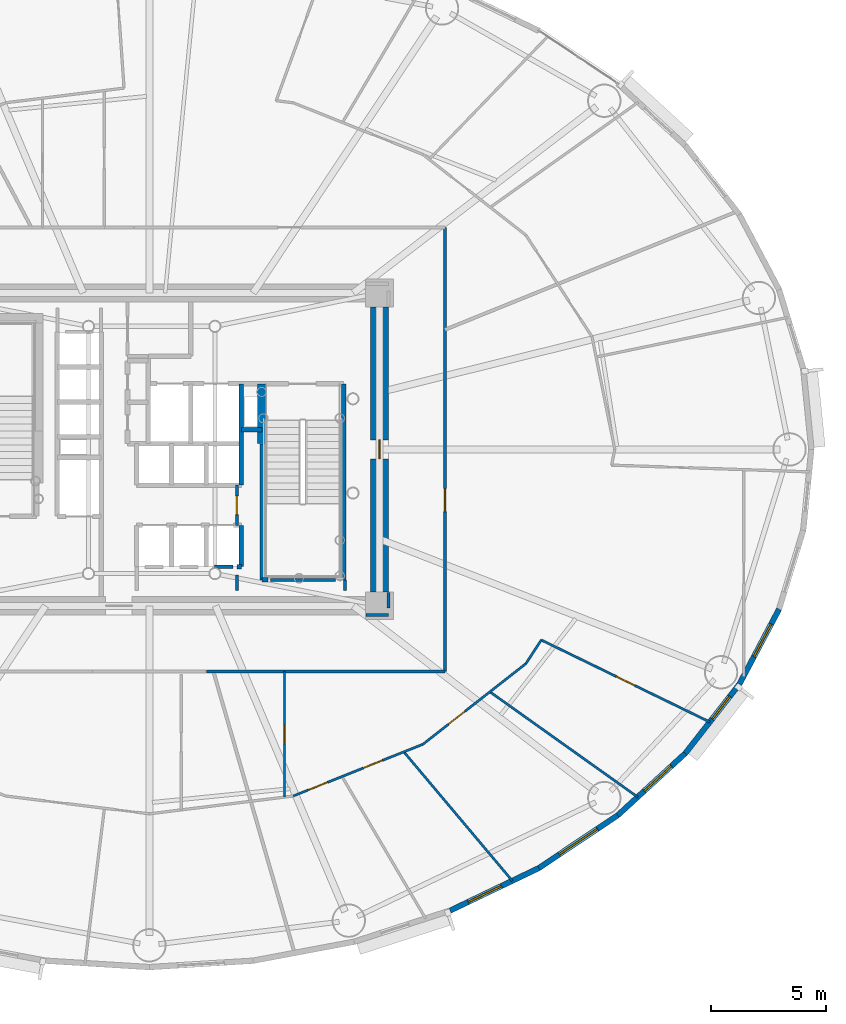
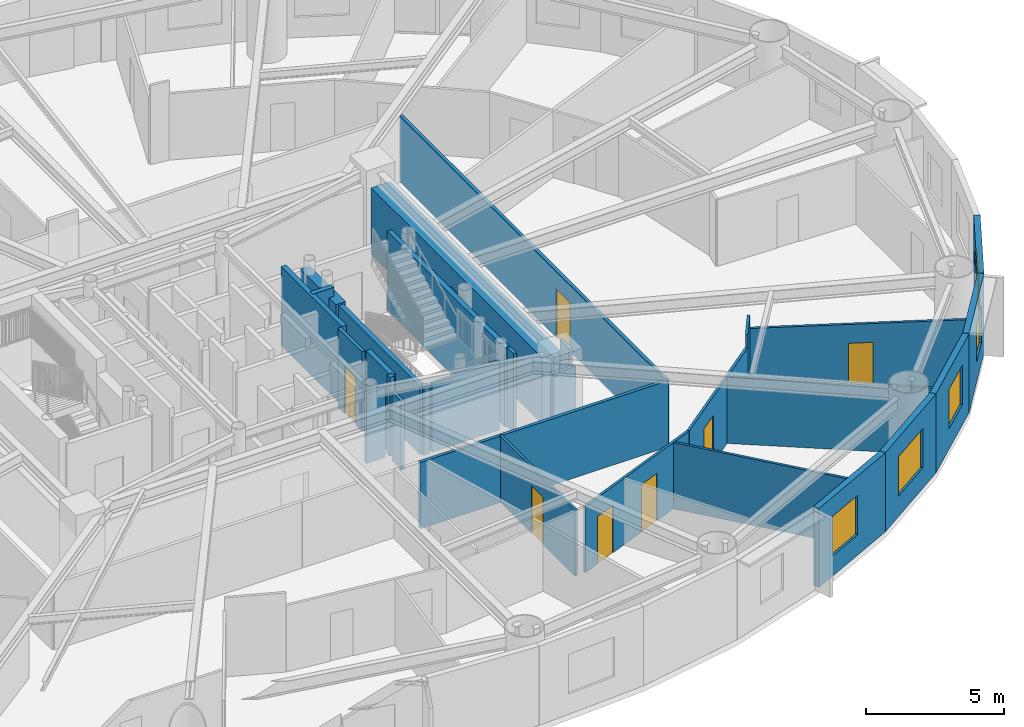
# One storey, part 12 of 20: 30 walls, 8 doors, 5 windows, 13 openings.
"""IFC4 building model written with IfcOpenShell, lengths in metres."""

import ifcopenshell
import ifcopenshell.guid

model = None  # the IFC model being written
_history = None  # IfcOwnerHistory: only IFC2X3 demands one
_inside = {}  # id of a spatial element -> (the spatial element, [elements in it])
_under = {}  # id of a project, library or spatial element -> (it, [spatial elements below it])
_declared = {}  # id of a project -> (the project, [libraries it declares])
_typed = {}  # id of a type object -> (the type object, [elements of that type])
_made_of = {}  # id of a material, layer set ... -> (it, [elements and type objects made of it])


def new_model(schema):
    """Start an empty IFC model of exactly this schema.

    Asked for "IFC4X3", IfcOpenShell would pick the latest addendum, in which some entities
    have other attributes; the version numbers below select the first issue.
    IFC2X3 requires an IfcOwnerHistory on every rooted entity: one is made here for all.
    """
    global model, _history
    if schema == "IFC4X3":
        model = ifcopenshell.file(schema_version=(4, 3, 0, 0))
    else:
        model = ifcopenshell.file(schema=schema)
    _inside.clear()
    _under.clear()
    _declared.clear()
    _typed.clear()
    _made_of.clear()
    _history = None
    if model.schema == "IFC2X3":
        org = make("IfcOrganization", Name="unknown")
        user = make(
            "IfcPersonAndOrganization",
            ThePerson=make("IfcPerson", FamilyName="unknown"),
            TheOrganization=org,
        )
        app = make(
            "IfcApplication",
            ApplicationDeveloper=org,
            Version="unknown",
            ApplicationFullName="unknown",
            ApplicationIdentifier="unknown",
        )
        _history = make(
            "IfcOwnerHistory",
            OwningUser=user,
            OwningApplication=app,
            ChangeAction="ADDED",
            CreationDate=0,
        )
    return model


def make(cls, **values):
    """One entity of the class cls with the attributes given. An attribute that is None is left unset."""
    return model.create_entity(
        cls, **{name: value for name, value in values.items() if value is not None}
    )


def rooted(cls, **values):
    """An entity with a GlobalId (a new one), such as an element, a storey or a relation."""
    return make(cls, GlobalId=ifcopenshell.guid.new(), OwnerHistory=_history, **values)


def si_unit(unit_type, name, prefix=None):
    """IfcSIUnit, for example si_unit("LENGTHUNIT", "METRE", prefix="MILLI")."""
    return make("IfcSIUnit", UnitType=unit_type, Prefix=prefix, Name=name)


def assignment(units):
    """IfcUnitAssignment: the units of a project."""
    return None if units is None else make("IfcUnitAssignment", Units=units)


def point(xyz):
    """IfcCartesianPoint."""
    return None if xyz is None else make("IfcCartesianPoint", Coordinates=xyz)


def direction(xyz):
    """IfcDirection."""
    return None if xyz is None else make("IfcDirection", DirectionRatios=xyz)


def frame(location, z_axis=None, x_axis=None):
    """IfcAxis2Placement3D, a coordinate frame: its origin and axes. An axis left out is left unset."""
    return make(
        "IfcAxis2Placement3D",
        Location=point(location),
        Axis=direction(z_axis),
        RefDirection=direction(x_axis),
    )


def frame_2d(location, x_axis=None):
    """IfcAxis2Placement2D, a coordinate frame in the plane: its origin and x axis."""
    return make(
        "IfcAxis2Placement2D", Location=point(location), RefDirection=direction(x_axis)
    )


def origin():
    """The frame at (0, 0, 0) with its axes left unset."""
    return frame((0.0, 0.0, 0.0))


def origin_2d():
    """The frame at (0, 0) in the plane with its x axis left unset."""
    return frame_2d((0.0, 0.0))


def place(relative_to, where):
    """IfcLocalPlacement: puts the frame where relative to a parent placement (None: the world)."""
    return make(
        "IfcLocalPlacement", PlacementRelTo=relative_to, RelativePlacement=where
    )


def context(
    kind, dimensions, precision=None, world=None, true_north=None, identifier=None
):
    """IfcGeometricRepresentationContext, for example the 3D "Model" context."""
    return make(
        "IfcGeometricRepresentationContext",
        ContextIdentifier=identifier,
        ContextType=kind,
        CoordinateSpaceDimension=dimensions,
        Precision=precision,
        WorldCoordinateSystem=world,
        TrueNorth=true_north,
    )


def subcontext(parent, identifier, kind, view, scale=None):
    """IfcGeometricRepresentationSubContext, for example "Body" below "Model"."""
    return make(
        "IfcGeometricRepresentationSubContext",
        ContextIdentifier=identifier,
        ContextType=kind,
        ParentContext=parent,
        TargetScale=scale,
        TargetView=view,
    )


def project(units=None, contexts=None):
    """IfcProject with its units and contexts."""
    return rooted(
        "IfcProject",
        Name="project",
        RepresentationContexts=contexts,
        UnitsInContext=assignment(units),
    )


def spatial(cls, under=None, at=None, **own):
    """A site, building, storey or space (cls), placed at a placement, below another one or the project."""
    s = rooted(cls, ObjectPlacement=at, **own)
    if under is not None:
        _under.setdefault(under.id(), (under, []))[1].append(s)
    return s


def profile(cls, at=None, kind="AREA", **sizes):
    """A parametric profile (cls). Its sizes go by their IFC names, for example OverallWidth=200.0."""
    return make(cls, ProfileType=kind, Position=at, **sizes)


def rectangle(**sizes):
    """IfcRectangleProfileDef."""
    return profile("IfcRectangleProfileDef", **sizes)


def extrude(swept, where, along, depth):
    """IfcExtrudedAreaSolid: the profile swept, set in the frame where, extruded along a direction by depth."""
    return make(
        "IfcExtrudedAreaSolid",
        SweptArea=swept,
        Position=where,
        ExtrudedDirection=direction(along),
        Depth=depth,
    )


def shape(context_of_items, identifier, shape_type, items):
    """IfcShapeRepresentation: the items that make up one representation, for example the "Body"."""
    return make(
        "IfcShapeRepresentation",
        ContextOfItems=context_of_items,
        RepresentationIdentifier=identifier,
        RepresentationType=shape_type,
        Items=items,
    )


def source(mapping_origin, context_of_items, identifier, shape_type, items):
    """IfcRepresentationMap: a shape defined once, which mapped items show again and again."""
    return make(
        "IfcRepresentationMap",
        MappingOrigin=mapping_origin,
        MappedRepresentation=shape(context_of_items, identifier, shape_type, items),
    )


def transform(
    local_origin,
    x_axis=None,
    y_axis=None,
    z_axis=None,
    scale=None,
    scale2=None,
    scale3=None,
    uniform=True,
):
    """IfcCartesianTransformationOperator3D, or its non-uniform kind. x_axis, y_axis, z_axis: its Axis1, 2, 3."""
    if uniform:
        return make(
            "IfcCartesianTransformationOperator3D",
            Axis1=direction(x_axis),
            Axis2=direction(y_axis),
            LocalOrigin=point(local_origin),
            Scale=scale,
            Axis3=direction(z_axis),
        )
    return make(
        "IfcCartesianTransformationOperator3DnonUniform",
        Axis1=direction(x_axis),
        Axis2=direction(y_axis),
        LocalOrigin=point(local_origin),
        Scale=scale,
        Axis3=direction(z_axis),
        Scale2=scale2,
        Scale3=scale3,
    )


def mapped(mapping_source, mapping_target):
    """IfcMappedItem: shows the shape of a source again, moved by a transform."""
    return make(
        "IfcMappedItem", MappingSource=mapping_source, MappingTarget=mapping_target
    )


def material(Name=None, Category=None):
    """IfcMaterial."""
    return make("IfcMaterial", Name=Name, Category=Category)


def layer(
    of_material, thickness, ventilated=None, Name=None, Category=None, Priority=None
):
    """IfcMaterialLayer: one layer of a wall or slab, of a material (None: an air gap)."""
    return make(
        "IfcMaterialLayer",
        Material=of_material,
        LayerThickness=thickness,
        IsVentilated=ventilated,
        Name=Name,
        Category=Category,
        Priority=Priority,
    )


def layer_set(layers, Name=None):
    """IfcMaterialLayerSet."""
    return make("IfcMaterialLayerSet", MaterialLayers=layers, LayerSetName=Name)


def made_of(thing, what):
    """Note that an element or type object is made of a material, layer set ...; save() writes the relation."""
    if what is not None:
        _made_of.setdefault(what.id(), (what, []))[1].append(thing)
    return thing


def type_object(cls, material=None, **own):
    """A type object (cls), such as IfcWallType, which elements share."""
    return made_of(rooted(cls, **own), material)


def element(
    cls,
    number,
    at=None,
    inside=None,
    cuts=None,
    type_object=None,
    material=None,
    context=None,
    identifier="Body",
    shape_type=None,
    held_by="IfcProductDefinitionShape",
    body=None,
    shapes=None,
    **own,
):
    """One element of the class cls, such as IfcWall. Its Tag is "e" and its number.

    at: its placement. inside: the storey or other place that contains it. cuts: it is an
    opening in that element (IfcRelVoidsElement). A single representation is given by context,
    identifier, shape_type and body (its items); several are given by shapes. held_by: the class
    of the entity that holds the representations. save() writes the other relations.
    """
    e = rooted(cls, Tag="e%d" % number, ObjectPlacement=at, **own)
    if body is not None:
        shapes = [shape(context, identifier, shape_type, body)]
    if shapes is not None:
        e.Representation = make(held_by, Representations=shapes)
    if inside is not None:
        _inside.setdefault(inside.id(), (inside, []))[1].append(e)
    if cuts is not None:
        rooted(
            "IfcRelVoidsElement", RelatingBuildingElement=cuts, RelatedOpeningElement=e
        )
    if type_object is not None:
        _typed.setdefault(type_object.id(), (type_object, []))[1].append(e)
    return made_of(e, material)


def fill(opening, filler):
    """IfcRelFillsElement: the door or window that sits in an opening."""
    return rooted(
        "IfcRelFillsElement",
        RelatingOpeningElement=opening,
        RelatedBuildingElement=filler,
    )


def aggregate(whole, parts):
    """IfcRelAggregates: a whole, such as a stair, and the parts it consists of."""
    return rooted("IfcRelAggregates", RelatingObject=whole, RelatedObjects=parts)


def save(model, path):
    """Write the relations noted so far, then the file.

    IfcRelAggregates (storeys below a building ...), IfcRelContainedInSpatialStructure (elements
    in a storey), IfcRelDefinesByType, IfcRelAssociatesMaterial and IfcRelDeclares: one each for
    every whole, place, type object, material and project.
    """
    for whole, parts in _under.values():
        aggregate(whole, parts)
    for where, things in _inside.values():
        rooted(
            "IfcRelContainedInSpatialStructure",
            RelatedElements=things,
            RelatingStructure=where,
        )
    for kind, things in _typed.values():
        rooted("IfcRelDefinesByType", RelatedObjects=things, RelatingType=kind)
    for what, things in _made_of.values():
        rooted("IfcRelAssociatesMaterial", RelatedObjects=things, RelatingMaterial=what)
    for by, libraries in _declared.values():
        rooted("IfcRelDeclares", RelatingContext=by, RelatedDefinitions=libraries)
    model.write(path)


model = new_model("IFC4")

# Units and contexts
model_context = context("Model", 3, precision=1e-05, world=origin(), true_north=direction((0.0, 1.0)))
body_context = subcontext(model_context, "Body", "Model", "MODEL_VIEW")
ifc_project = project(units=[si_unit("LENGTHUNIT", "METRE"), si_unit("AREAUNIT", "SQUARE_METRE"), si_unit("VOLUMEUNIT", "CUBIC_METRE"), si_unit("PLANEANGLEUNIT", "RADIAN"), si_unit("MASSUNIT", "GRAM", prefix="KILO")], contexts=[model_context])

# Site, building, storey
site_placement = place(None, origin())
site = spatial("IfcSite", under=ifc_project, at=site_placement, CompositionType="ELEMENT")
building_placement = place(site_placement, origin())
building = spatial("IfcBuilding", under=site, at=building_placement, Name="Linh Dai School and Residence Tower", CompositionType="ELEMENT")
storey_placement = place(building_placement, frame((0.0, 0.0, 127.199951171875)))
storey = spatial("IfcBuildingStorey", under=building, at=storey_placement, Name="L30", CompositionType="ELEMENT", Elevation=127.199951171875)

# Wall, opening, window
ifc_material_1 = material(Name="Precast Concrete B45 (C35/45)", Category="concrete")
ifc_layer_1 = layer(ifc_material_1, 0.239990234375)
ifc_layer_set_1 = layer_set([ifc_layer_1], Name="Precast Concrete B45 (C35/45)")
wall_type_1 = type_object("IfcWallType", Name="EW-TC-240", PredefinedType="SOLIDWALL", material=ifc_layer_set_1)
wall_1_placement = place(storey_placement, frame((52.92529296875, 8.800537109375, 0.0), z_axis=(0.0, 0.0, 1.0), x_axis=(-0.901589935876, -0.432591709962, 0.0)))
wall_1 = element("IfcWall", 1, at=wall_1_placement, inside=storey, type_object=wall_type_1, Name="L30 Terracotta Exterior Wall 34", PredefinedType="SOLIDWALL", context=body_context, shape_type="SweptSolid", body=[
    extrude(rectangle(XDim=4.271728515625, YDim=0.239990234375, at=frame_2d((2.1357421875, 0.0))), origin(), (0.0, 0.0, 1.0), 3.5),
])
opening_1_placement = place(wall_1_placement, frame((1.796142578125, 0.0, 0.89990234375)))
opening_1 = element("IfcOpeningElement", 2, at=opening_1_placement, cuts=wall_1, Name="Opening W2", PredefinedType="OPENING", context=body_context, shape_type="SweptSolid", body=[
    extrude(rectangle(XDim=1.60009765625, YDim=1.75, at=origin_2d()), frame((0.800048828125, 0.1298828125, 0.875), z_axis=(0.0, -1.0, 0.0), x_axis=(1.0, 0.0, 0.0)), (0.0, 0.0, 1.0), 0.260009765625),
])
ifc_material_2 = material(Name="Double Low-E Insulated Glazing", Category="glass")
window_type_1 = type_object("IfcWindowType", Name="WN-RES-1600x1750", PartitioningType="DOUBLE_PANEL_VERTICAL", PredefinedType="WINDOW", material=ifc_material_2)
shared_shape_1 = source(origin(), body_context, "Body", "SweptSolid", [
    extrude(rectangle(XDim=1.60009765625, YDim=1.75, at=origin_2d()), frame((0.800048828125, 0.030029296875, 0.875), z_axis=(0.0, -1.0, 0.0), x_axis=(1.0, 0.0, 0.0)), (0.0, 0.0, 1.0), 0.06005859375),
])
window_1_placement = place(opening_1_placement, origin())
window_1 = element("IfcWindow", 3, at=window_1_placement, inside=storey, type_object=window_type_1, Name="L30 Exterior Window 34.1", OverallHeight=1.75, OverallWidth=1.60009765625, PartitioningType="DOUBLE_PANEL_VERTICAL", PredefinedType="WINDOW", context=body_context, shape_type="MappedRepresentation", body=[
    mapped(shared_shape_1, transform((0.0, 0.0, 0.0), x_axis=(1.0, 0.0, 0.0), y_axis=(0.0, 1.0, 0.0), z_axis=(0.0, 0.0, 1.0), scale=1.0)),
])
fill(opening_1, window_1)

wall_2_placement = place(storey_placement, frame((56.3583984375, 11.0966796875, 0.0), z_axis=(0.0, 0.0, 1.0), x_axis=(-0.831221811447, -0.555940914284, 0.0)))
wall_2 = element("IfcWall", 4, at=wall_2_placement, inside=storey, type_object=wall_type_1, Name="L30 Terracotta Exterior Wall 35", PredefinedType="SOLIDWALL", context=body_context, shape_type="SweptSolid", body=[
    extrude(rectangle(XDim=4.130126953125, YDim=0.239990234375, at=frame_2d((2.06494140625, 0.0))), origin(), (0.0, 0.0, 1.0), 3.5),
])
opening_2_placement = place(wall_2_placement, frame((1.065185546875, 0.0, 0.89990234375)))
opening_2 = element("IfcOpeningElement", 5, at=opening_2_placement, cuts=wall_2, Name="Opening W1", PredefinedType="OPENING", context=body_context, shape_type="SweptSolid", body=[
    extrude(rectangle(XDim=2.0, YDim=1.75, at=origin_2d()), frame((1.0, 0.1298828125, 0.875), z_axis=(0.0, -1.0, 0.0), x_axis=(1.0, 0.0, 0.0)), (0.0, 0.0, 1.0), 0.260009765625),
])
window_type_2 = type_object("IfcWindowType", Name="WN-RES-2000x1750", PartitioningType="DOUBLE_PANEL_VERTICAL", PredefinedType="WINDOW", material=ifc_material_2)
shared_shape_2 = source(origin(), body_context, "Body", "SweptSolid", [
    extrude(rectangle(XDim=2.0, YDim=1.75, at=origin_2d()), frame((1.0, 0.030029296875, 0.875), z_axis=(0.0, -1.0, 0.0), x_axis=(1.0, 0.0, 0.0)), (0.0, 0.0, 1.0), 0.06005859375),
])
window_2_placement = place(opening_2_placement, origin())
window_2 = element("IfcWindow", 6, at=window_2_placement, inside=storey, type_object=window_type_2, Name="L30 Exterior Window 35.1", OverallHeight=1.75, OverallWidth=2.0, PartitioningType="DOUBLE_PANEL_VERTICAL", PredefinedType="WINDOW", context=body_context, shape_type="MappedRepresentation", body=[
    mapped(shared_shape_2, transform((0.0, 0.0, 0.0), x_axis=(1.0, 0.0, 0.0), y_axis=(0.0, 1.0, 0.0), z_axis=(0.0, 0.0, 1.0), scale=1.0)),
])
fill(opening_2, window_2)

wall_3_placement = place(storey_placement, frame((59.2890625, 13.783447265625, 0.0), z_axis=(0.0, 0.0, 1.0), x_axis=(-0.737113356241, -0.675769117414, 0.0)))
wall_3 = element("IfcWall", 7, at=wall_3_placement, inside=storey, type_object=wall_type_1, Name="L30 Terracotta Exterior Wall 36", PredefinedType="SOLIDWALL", context=body_context, shape_type="SweptSolid", body=[
    extrude(rectangle(XDim=3.975830078125, YDim=0.239990234375, at=frame_2d((1.98779296875, 0.0))), origin(), (0.0, 0.0, 1.0), 3.5),
])
opening_3_placement = place(wall_3_placement, frame((0.809326171875, 0.0, 0.89990234375)))
opening_3 = element("IfcOpeningElement", 8, at=opening_3_placement, cuts=wall_3, Name="Opening W2", PredefinedType="OPENING", context=body_context, shape_type="SweptSolid", body=[
    extrude(rectangle(XDim=1.60009765625, YDim=1.75, at=origin_2d()), frame((0.800048828125, 0.1298828125, 0.875), z_axis=(0.0, -1.0, 0.0), x_axis=(1.0, 0.0, 0.0)), (0.0, 0.0, 1.0), 0.260009765625),
])
window_3_placement = place(opening_3_placement, origin())
window_3 = element("IfcWindow", 9, at=window_3_placement, inside=storey, type_object=window_type_1, Name="L30 Exterior Window 36.1", OverallHeight=1.75, OverallWidth=1.60009765625, PartitioningType="DOUBLE_PANEL_VERTICAL", PredefinedType="WINDOW", context=body_context, shape_type="MappedRepresentation", body=[
    mapped(shared_shape_1, transform((0.0, 0.0, 0.0), x_axis=(1.0, 0.0, 0.0), y_axis=(0.0, 1.0, 0.0), z_axis=(0.0, 0.0, 1.0), scale=1.0)),
])
fill(opening_3, window_3)

wall_4_placement = place(storey_placement, frame((61.645263671875, 16.79443359375, 0.0), z_axis=(0.0, 0.0, 1.0), x_axis=(-0.616272103517, -0.787533297345, 0.0)))
wall_4 = element("IfcWall", 10, at=wall_4_placement, inside=storey, type_object=wall_type_1, Name="L30 Terracotta Exterior Wall 37", PredefinedType="SOLIDWALL", context=body_context, shape_type="SweptSolid", body=[
    extrude(rectangle(XDim=3.8232421875, YDim=0.239990234375, at=frame_2d((1.91162109375, 0.0))), origin(), (0.0, 0.0, 1.0), 3.5),
])
opening_4_placement = place(wall_4_placement, frame((0.673583984375, 0.0, 0.89990234375)))
opening_4 = element("IfcOpeningElement", 11, at=opening_4_placement, cuts=wall_4, Name="Opening W3", PredefinedType="OPENING", context=body_context, shape_type="SweptSolid", body=[
    extrude(rectangle(XDim=1.25, YDim=1.64990234375, at=origin_2d()), frame((0.625, 0.1298828125, 0.824951171875), z_axis=(0.0, -1.0, 0.0), x_axis=(1.0, 0.0, 0.0)), (0.0, 0.0, 1.0), 0.260009765625),
])
window_type_3 = type_object("IfcWindowType", Name="WN-RES-1250x1650", PartitioningType="SINGLE_PANEL", PredefinedType="WINDOW", material=ifc_material_2)
shared_shape_3 = source(origin(), body_context, "Body", "SweptSolid", [
    extrude(rectangle(XDim=1.25, YDim=1.64990234375, at=origin_2d()), frame((0.625, 0.030029296875, 0.824951171875), z_axis=(0.0, -1.0, 0.0), x_axis=(1.0, 0.0, 0.0)), (0.0, 0.0, 1.0), 0.06005859375),
])
window_4_placement = place(opening_4_placement, origin())
window_4 = element("IfcWindow", 12, at=window_4_placement, inside=storey, type_object=window_type_3, Name="L30 Dwelling Window U3002-LIV", OverallHeight=1.64990234375, OverallWidth=1.25, PartitioningType="SINGLE_PANEL", PredefinedType="WINDOW", context=body_context, shape_type="MappedRepresentation", body=[
    mapped(shared_shape_3, transform((0.0, 0.0, 0.0), x_axis=(1.0, 0.0, 0.0), y_axis=(0.0, 1.0, 0.0), z_axis=(0.0, 0.0, 1.0), scale=1.0)),
])
fill(opening_4, window_4)

wall_5_placement = place(storey_placement, frame((63.3701171875, 20.054931640625, 0.0), z_axis=(0.0, 0.0, 1.0), x_axis=(-0.467614004126, -0.883932770716, 0.0)))
wall_5 = element("IfcWall", 13, at=wall_5_placement, inside=storey, type_object=wall_type_1, Name="L30 Terracotta Exterior Wall 38", PredefinedType="SOLIDWALL", context=body_context, shape_type="SweptSolid", body=[
    extrude(rectangle(XDim=3.688720703125, YDim=0.239990234375, at=frame_2d((1.84423828125, 0.0))), origin(), (0.0, 0.0, 1.0), 3.5),
])
opening_5_placement = place(wall_5_placement, frame((0.73388671875, 0.0, 0.89990234375)))
opening_5 = element("IfcOpeningElement", 14, at=opening_5_placement, cuts=wall_5, Name="Opening W2", PredefinedType="OPENING", context=body_context, shape_type="SweptSolid", body=[
    extrude(rectangle(XDim=1.60009765625, YDim=1.75, at=origin_2d()), frame((0.800048828125, 0.1298828125, 0.875), z_axis=(0.0, -1.0, 0.0), x_axis=(1.0, 0.0, 0.0)), (0.0, 0.0, 1.0), 0.260009765625),
])
window_5_placement = place(opening_5_placement, origin())
window_5 = element("IfcWindow", 15, at=window_5_placement, inside=storey, type_object=window_type_1, Name="L30 Exterior Window 38.1", OverallHeight=1.75, OverallWidth=1.60009765625, PartitioningType="DOUBLE_PANEL_VERTICAL", PredefinedType="WINDOW", context=body_context, shape_type="MappedRepresentation", body=[
    mapped(shared_shape_1, transform((0.0, 0.0, 0.0), x_axis=(1.0, 0.0, 0.0), y_axis=(0.0, 1.0, 0.0), z_axis=(0.0, 0.0, 1.0), scale=1.0)),
])
fill(opening_5, window_5)

# Wall
ifc_material_3 = material(Name="Autoclaved Aerated Concrete Blockwork", Category="masonry")
ifc_layer_2 = layer(ifc_material_3, 0.135009765625)
ifc_layer_set_2 = layer_set([ifc_layer_2], Name="Autoclaved Aerated Concrete Blockwork")
wall_type_2 = type_object("IfcWallType", Name="IW-CORR-135-EI90", PredefinedType="PARTITIONING", material=ifc_layer_set_2)
wall_6_placement = place(storey_placement, frame((38.47705078125, 17.35009765625, 0.0), z_axis=(0.0, 0.0, 1.0), x_axis=(1.0, 0.0, 0.0)))
element("IfcWall", 16, at=wall_6_placement, inside=storey, type_object=wall_type_2, Name="L30 Interior Partition Wall 059", PredefinedType="PARTITIONING", context=body_context, shape_type="SweptSolid", body=[
    extrude(rectangle(XDim=10.373046875, YDim=0.135009765625, at=frame_2d((5.1865234375, 0.0))), origin(), (0.0, 0.0, 1.0), 2.93505859375),
])

# Wall, opening, door
wall_7_placement = place(storey_placement, frame((39.800048828125, 23.699951171875, 0.0), z_axis=(0.0, 0.0, 1.0), x_axis=(0.0, 1.0, 0.0)))
wall_7 = element("IfcWall", 17, at=wall_7_placement, inside=storey, type_object=wall_type_2, Name="L30 Interior Partition Wall 064", PredefinedType="PARTITIONING", context=body_context, shape_type="SweptSolid", body=[
    extrude(rectangle(XDim=1.75, YDim=0.135009765625, at=frame_2d((0.875, 0.0))), origin(), (0.0, 0.0, 1.0), 3.5),
])
opening_6_placement = place(wall_7_placement, frame((0.465087890625, 0.0, 0.0)))
opening_6 = element("IfcOpeningElement", 18, at=opening_6_placement, cuts=wall_7, Name="Opening D06", PredefinedType="OPENING", context=body_context, shape_type="SweptSolid", body=[
    extrude(rectangle(XDim=0.820068359375, YDim=2.10009765625, at=origin_2d()), frame((0.41015625, 0.07763671875, 1.050048828125), z_axis=(0.0, -1.0, 0.0), x_axis=(1.0, 0.0, 0.0)), (0.0, 0.0, 1.0), 0.155029296875),
])
ifc_material_4 = material(Name="Moisture-Resistant Timber Bathroom Door", Category="wood")
door_type_1 = type_object("IfcDoorType", Name="DR-WET-820x2100", OperationType="NOTDEFINED", PredefinedType="DOOR", material=ifc_material_4)
shared_shape_4 = source(origin(), body_context, "Body", "SweptSolid", [
    extrude(rectangle(XDim=0.820068359375, YDim=2.10009765625, at=origin_2d()), frame((0.41015625, 0.02490234375, 1.050048828125), z_axis=(0.0, -1.0, 0.0), x_axis=(1.0, 0.0, 0.0)), (0.0, 0.0, 1.0), 0.050048828125),
])
door_1_placement = place(opening_6_placement, origin())
door_1 = element("IfcDoor", 19, at=door_1_placement, inside=storey, type_object=door_type_1, Name="L30 East Linen Store Door", OperationType="SINGLE_SWING_RIGHT", OverallHeight=2.10009765625, OverallWidth=0.820068359375, PredefinedType="DOOR", context=body_context, shape_type="MappedRepresentation", body=[
    mapped(shared_shape_4, transform((0.0, 0.0, 0.0), x_axis=(1.0, 0.0, 0.0), y_axis=(0.0, 1.0, 0.0), z_axis=(0.0, 0.0, 1.0), scale=1.0)),
])
fill(opening_6, door_1)

wall_8_placement = place(storey_placement, frame((48.85009765625, 17.35009765625, 0.0), z_axis=(0.0, 0.0, 1.0), x_axis=(0.0, 1.0, 0.0)))
wall_8 = element("IfcWall", 20, at=wall_8_placement, inside=storey, type_object=wall_type_2, Name="L30 Interior Partition Wall 082", PredefinedType="PARTITIONING", context=body_context, shape_type="SweptSolid", body=[
    extrude(rectangle(XDim=19.2998046875, YDim=0.135009765625, at=frame_2d((9.64990234375, 0.0))), origin(), (0.0, 0.0, 1.0), 2.93505859375),
])
opening_7_placement = place(wall_8_placement, frame((6.946044921875, 0.0, 0.0)))
opening_7 = element("IfcOpeningElement", 21, at=opening_7_placement, cuts=wall_8, Name="Opening D03", PredefinedType="OPENING", context=body_context, shape_type="SweptSolid", body=[
    extrude(rectangle(XDim=1.0, YDim=2.14990234375, at=origin_2d()), frame((0.5, 0.07763671875, 1.074951171875), z_axis=(0.0, -1.0, 0.0), x_axis=(1.0, 0.0, 0.0)), (0.0, 0.0, 1.0), 0.155029296875),
])
ifc_material_5 = material(Name="Fire-Rated Solid Timber Entrance Door", Category="wood")
door_type_2 = type_object("IfcDoorType", Name="DR-FLAT-1000x2150-FD60S", OperationType="NOTDEFINED", PredefinedType="DOOR", material=ifc_material_5)
shared_shape_5 = source(origin(), body_context, "Body", "SweptSolid", [
    extrude(rectangle(XDim=1.0, YDim=2.14990234375, at=origin_2d()), frame((0.5, 0.02490234375, 1.074951171875), z_axis=(0.0, -1.0, 0.0), x_axis=(1.0, 0.0, 0.0)), (0.0, 0.0, 1.0), 0.050048828125),
])
door_2_placement = place(opening_7_placement, origin())
door_2 = element("IfcDoor", 22, at=door_2_placement, inside=storey, type_object=door_type_2, Name="L30 U3002 Apartment Entrance Door", OperationType="SINGLE_SWING_RIGHT", OverallHeight=2.14990234375, OverallWidth=1.0, PredefinedType="DOOR", context=body_context, shape_type="MappedRepresentation", body=[
    mapped(shared_shape_5, transform((0.0, 0.0, 0.0), x_axis=(1.0, 0.0, 0.0), y_axis=(0.0, 1.0, 0.0), z_axis=(0.0, 0.0, 1.0), scale=1.0)),
])
fill(opening_7, door_2)

# Walls
wall_9_placement = place(storey_placement, frame((44.080078125, 21.330078125, 0.0), z_axis=(0.0, 0.0, 1.0), x_axis=(-1.0, 0.0, 0.0)))
element("IfcWall", 23, at=wall_9_placement, inside=storey, type_object=wall_type_2, Name="L30 Interior Partition Wall 094", PredefinedType="PARTITIONING", context=body_context, shape_type="SweptSolid", body=[
    extrude(rectangle(XDim=2.820068359375, YDim=0.135009765625, at=frame_2d((1.41015625, 0.0))), origin(), (0.0, 0.0, 1.0), 3.03515625),
])
wall_10_placement = place(storey_placement, frame((39.639892578125, 21.89990234375, 0.0), z_axis=(0.0, 0.0, 1.0), x_axis=(-1.0, 0.0, 0.0)))
element("IfcWall", 24, at=wall_10_placement, inside=storey, type_object=wall_type_2, Name="L30 Interior Partition Wall 097", PredefinedType="PARTITIONING", context=body_context, shape_type="SweptSolid", body=[
    extrude(rectangle(XDim=0.7998046875, YDim=0.135009765625, at=frame_2d((0.39990234375, 0.0))), origin(), (0.0, 0.0, 1.0), 3.0849609375),
])
wall_11_placement = place(storey_placement, frame((39.800048828125, 20.860107421875, 0.0), z_axis=(0.0, 0.0, 1.0), x_axis=(0.0, 1.0, 0.0)))
element("IfcWall", 25, at=wall_11_placement, inside=storey, type_object=wall_type_2, Name="L30 Interior Partition Wall 099", PredefinedType="PARTITIONING", context=body_context, shape_type="SweptSolid", body=[
    extrude(rectangle(XDim=0.679931640625, YDim=0.135009765625, at=frame_2d((0.33984375, 0.0))), origin(), (0.0, 0.0, 1.0), 3.03515625),
])
wall_12_placement = place(storey_placement, frame((44.5, 20.860107421875, 0.0), z_axis=(0.0, 0.0, 1.0), x_axis=(0.0, 1.0, 0.0)))
element("IfcWall", 26, at=wall_12_placement, inside=storey, type_object=wall_type_2, Name="L30 Interior Partition Wall 101", PredefinedType="PARTITIONING", context=body_context, shape_type="SweptSolid", body=[
    extrude(rectangle(XDim=0.4599609375, YDim=0.135009765625, at=frame_2d((0.22998046875, 0.0))), origin(), (0.0, 0.0, 1.0), 3.5),
])
wall_13_placement = place(storey_placement, frame((45.409912109375, 19.800048828125, 0.0), z_axis=(0.0, 0.0, 1.0), x_axis=(1.0, 0.0, 0.0)))
element("IfcWall", 27, at=wall_13_placement, inside=storey, type_object=wall_type_2, Name="L30 Interior Partition Wall 111", PredefinedType="PARTITIONING", context=body_context, shape_type="SweptSolid", body=[
    extrude(rectangle(XDim=0.989990234375, YDim=0.135009765625, at=frame_2d((0.4951171875, 0.0))), origin(), (0.0, 0.0, 1.0), 2.93505859375),
])
wall_14_placement = place(storey_placement, frame((46.39990234375, 20.107421875, 0.0), z_axis=(0.0, 0.0, 1.0), x_axis=(0.0, 1.0, 0.0)))
element("IfcWall", 28, at=wall_14_placement, inside=storey, type_object=wall_type_2, Name="L30 Interior Partition Wall 112", PredefinedType="PARTITIONING", context=body_context, shape_type="SweptSolid", body=[
    extrude(rectangle(XDim=0.6826171875, YDim=0.135009765625, at=frame_2d((0.34130859375, 0.0))), origin(), (0.0, 0.0, 1.0), 3.5),
])
ifc_material_6 = material(Name="Concrete B45 (C35/45)", Category="concrete")
ifc_layer_3 = layer(ifc_material_6, 0.199951171875)
ifc_layer_set_3 = layer_set([ifc_layer_3], Name="Concrete B45 (C35/45)")
wall_type_3 = type_object("IfcWallType", Name="IW-SHAFT-200-EI120", PredefinedType="PARTITIONING", material=ifc_layer_set_3)
wall_15_placement = place(storey_placement, frame((39.800048828125, 21.89990234375, 0.0), z_axis=(0.0, 0.0, 1.0), x_axis=(1.0, 0.0, 0.0)))
element("IfcWall", 29, at=wall_15_placement, inside=storey, type_object=wall_type_3, Name="L30 Interior Partition Wall 063", PredefinedType="PARTITIONING", context=body_context, shape_type="SweptSolid", body=[
    extrude(rectangle(XDim=0.199951171875, YDim=0.199951171875, at=frame_2d((0.10009765625, 0.0))), origin(), (0.0, 0.0, 1.0), 3.5),
])
wall_16_placement = place(storey_placement, frame((40.0, 21.89990234375, 0.0), z_axis=(0.0, 0.0, 1.0), x_axis=(0.0, 1.0, 0.0)))
element("IfcWall", 30, at=wall_16_placement, inside=storey, type_object=wall_type_3, Name="L30 Interior Partition Wall 065", PredefinedType="PARTITIONING", context=body_context, shape_type="SweptSolid", body=[
    extrude(rectangle(XDim=1.800048828125, YDim=0.199951171875, at=frame_2d((0.89990234375, 0.0))), origin(), (0.0, 0.0, 1.0), 3.5),
])
wall_17_placement = place(storey_placement, frame((40.0, 25.449951171875, 0.0), z_axis=(0.0, 0.0, 1.0), x_axis=(0.0, 1.0, 0.0)))
element("IfcWall", 31, at=wall_17_placement, inside=storey, type_object=wall_type_3, Name="L30 Interior Partition Wall 066", PredefinedType="PARTITIONING", context=body_context, shape_type="SweptSolid", body=[
    extrude(rectangle(XDim=4.400146484375, YDim=0.199951171875, at=frame_2d((2.2001953125, 0.0))), origin(), (0.0, 0.0, 1.0), 3.5),
])
wall_18_placement = place(storey_placement, frame((40.0, 27.85009765625, 0.0), z_axis=(0.0, 0.0, 1.0), x_axis=(1.0, 0.0, 0.0)))
element("IfcWall", 32, at=wall_18_placement, inside=storey, type_object=wall_type_3, Name="L30 Interior Partition Wall 067", PredefinedType="PARTITIONING", context=body_context, shape_type="SweptSolid", body=[
    extrude(rectangle(XDim=0.89990234375, YDim=0.199951171875, at=frame_2d((0.449951171875, 0.0))), origin(), (0.0, 0.0, 1.0), 3.5),
])
wall_19_placement = place(storey_placement, frame((40.89990234375, 21.330078125, 0.0), z_axis=(0.0, 0.0, 1.0), x_axis=(0.0, 1.0, 0.0)))
element("IfcWall", 33, at=wall_19_placement, inside=storey, type_object=wall_type_3, Name="L30 Interior Partition Wall 068", PredefinedType="PARTITIONING", context=body_context, shape_type="SweptSolid", body=[
    extrude(rectangle(XDim=5.909912109375, YDim=0.199951171875, at=frame_2d((2.955078125, 0.0))), origin(), (0.0, 0.0, 1.0), 3.03515625),
])
wall_20_placement = place(storey_placement, frame((40.89990234375, 21.330078125, 0.0), z_axis=(0.0, 0.0, 1.0), x_axis=(1.0, 0.0, 0.0)))
element("IfcWall", 34, at=wall_20_placement, inside=storey, type_object=wall_type_3, Name="L30 Interior Partition Wall 069", PredefinedType="PARTITIONING", context=body_context, shape_type="SweptSolid", body=[
    extrude(rectangle(XDim=0.25, YDim=0.199951171875, at=frame_2d((0.125, 0.0))), origin(), (0.0, 0.0, 1.0), 3.03515625),
])
wall_21_placement = place(storey_placement, frame((44.43994140625, 21.330078125, 0.0), z_axis=(0.0, 0.0, 1.0), x_axis=(0.0, 1.0, 0.0)))
element("IfcWall", 35, at=wall_21_placement, inside=storey, type_object=wall_type_3, Name="L30 Interior Partition Wall 077", PredefinedType="PARTITIONING", context=body_context, shape_type="SweptSolid", body=[
    extrude(rectangle(XDim=8.52001953125, YDim=0.199951171875, at=frame_2d((4.260009765625, 0.0))), origin(), (0.0, 0.0, 1.0), 3.5),
])

# Wall, opening, door
ifc_material_7 = material(Name="Gypsum Plasterboard Acoustic Stud Partition", Category="masonry")
ifc_layer_4 = layer(ifc_material_7, 0.10009765625)
ifc_layer_set_4 = layer_set([ifc_layer_4], Name="Gypsum Plasterboard Acoustic Stud Partition")
wall_type_4 = type_object("IfcWallType", Name="IW-UNIT-100", PredefinedType="PARTITIONING", material=ifc_layer_set_4)
wall_22_placement = place(storey_placement, frame((41.874267578125, 11.887451171875, 0.0), z_axis=(0.0, 0.0, 1.0), x_axis=(0.0, 1.0, 0.0)))
wall_22 = element("IfcWall", 36, at=wall_22_placement, inside=storey, type_object=wall_type_4, Name="L30 Interior Partition Wall 072", PredefinedType="PARTITIONING", context=body_context, shape_type="SweptSolid", body=[
    extrude(rectangle(XDim=5.462646484375, YDim=0.10009765625, at=frame_2d((2.7314453125, 0.0))), origin(), (0.0, 0.0, 1.0), 2.93505859375),
])
opening_8_placement = place(wall_22_placement, frame((2.3212890625, 0.0, 0.0)))
opening_8 = element("IfcOpeningElement", 37, at=opening_8_placement, cuts=wall_22, Name="Opening D06", PredefinedType="OPENING", context=body_context, shape_type="SweptSolid", body=[
    extrude(rectangle(XDim=0.820068359375, YDim=2.10009765625, at=origin_2d()), frame((0.41015625, 0.06005859375, 1.050048828125), z_axis=(0.0, -1.0, 0.0), x_axis=(1.0, 0.0, 0.0)), (0.0, 0.0, 1.0), 0.1201171875),
])
door_3_placement = place(opening_8_placement, origin())
door_3 = element("IfcDoor", 38, at=door_3_placement, inside=storey, type_object=door_type_1, Name="L30 Apartment U3002 Bathroom 1 Door", OperationType="SINGLE_SWING_LEFT", OverallHeight=2.10009765625, OverallWidth=0.820068359375, PredefinedType="DOOR", context=body_context, shape_type="MappedRepresentation", body=[
    mapped(shared_shape_4, transform((0.0, 0.0, 0.0), x_axis=(1.0, 0.0, 0.0), y_axis=(0.0, 1.0, 0.0), z_axis=(0.0, 0.0, 1.0), scale=1.0)),
])
fill(opening_8, door_3)

# Wall, openings, doors
wall_23_placement = place(storey_placement, frame((42.25146484375, 11.934326171875, 0.0), z_axis=(0.0, 0.0, 1.0), x_axis=(0.928803554156, 0.370572473055, 0.0)))
wall_23 = element("IfcWall", 39, at=wall_23_placement, inside=storey, type_object=wall_type_4, Name="L30 Interior Partition Wall 073", PredefinedType="PARTITIONING", context=body_context, shape_type="SweptSolid", body=[
    extrude(rectangle(XDim=6.07177734375, YDim=0.10009765625, at=frame_2d((3.035888671875, 0.0))), origin(), (0.0, 0.0, 1.0), 2.93505859375),
])
opening_9_placement = place(wall_23_placement, frame((0.711669921875, 0.0, 0.0)))
opening_9 = element("IfcOpeningElement", 40, at=opening_9_placement, cuts=wall_23, Name="Opening D05", PredefinedType="OPENING", context=body_context, shape_type="SweptSolid", body=[
    extrude(rectangle(XDim=0.89990234375, YDim=2.10009765625, at=origin_2d()), frame((0.449951171875, 0.06005859375, 1.050048828125), z_axis=(0.0, -1.0, 0.0), x_axis=(1.0, 0.0, 0.0)), (0.0, 0.0, 1.0), 0.1201171875),
])
opening_10_placement = place(wall_23_placement, frame((3.27978515625, 0.0, 0.0)))
opening_10 = element("IfcOpeningElement", 41, at=opening_10_placement, cuts=wall_23, Name="Opening D05", PredefinedType="OPENING", context=body_context, shape_type="SweptSolid", body=[
    extrude(rectangle(XDim=0.89990234375, YDim=2.10009765625, at=origin_2d()), frame((0.449951171875, 0.06005859375, 1.050048828125), z_axis=(0.0, -1.0, 0.0), x_axis=(1.0, 0.0, 0.0)), (0.0, 0.0, 1.0), 0.1201171875),
])
ifc_material_8 = material(Name="Engineered Timber Internal Door", Category="wood")
door_type_3 = type_object("IfcDoorType", Name="DR-INT-900x2100", OperationType="NOTDEFINED", PredefinedType="DOOR", material=ifc_material_8)
shared_shape_6 = source(origin(), body_context, "Body", "SweptSolid", [
    extrude(rectangle(XDim=0.89990234375, YDim=2.10009765625, at=origin_2d()), frame((0.449951171875, 0.02490234375, 1.050048828125), z_axis=(0.0, -1.0, 0.0), x_axis=(1.0, 0.0, 0.0)), (0.0, 0.0, 1.0), 0.050048828125),
])
door_4_placement = place(opening_9_placement, origin())
door_4 = element("IfcDoor", 42, at=door_4_placement, inside=storey, type_object=door_type_3, Name="L30 Apartment U3002 Principal Bedroom 1 Door", OperationType="SINGLE_SWING_LEFT", OverallHeight=2.10009765625, OverallWidth=0.89990234375, PredefinedType="DOOR", context=body_context, shape_type="MappedRepresentation", body=[
    mapped(shared_shape_6, transform((0.0, 0.0, 0.0), x_axis=(1.0, 0.0, 0.0), y_axis=(0.0, 1.0, 0.0), z_axis=(0.0, 0.0, 1.0), scale=1.0)),
])
fill(opening_9, door_4)
door_5_placement = place(opening_10_placement, origin())
door_5 = element("IfcDoor", 43, at=door_5_placement, inside=storey, type_object=door_type_3, Name="L30 Apartment U3002 Study Door", OperationType="SINGLE_SWING_RIGHT", OverallHeight=2.10009765625, OverallWidth=0.89990234375, PredefinedType="DOOR", context=body_context, shape_type="MappedRepresentation", body=[
    mapped(shared_shape_6, transform((0.0, 0.0, 0.0), x_axis=(1.0, 0.0, 0.0), y_axis=(0.0, 1.0, 0.0), z_axis=(0.0, 0.0, 1.0), scale=1.0)),
])
fill(opening_10, door_5)

# Wall
wall_24_placement = place(storey_placement, frame((47.0595703125, 13.8525390625, 0.0), z_axis=(0.0, 0.0, 1.0), x_axis=(0.64372942685, -0.765253177065, 0.0)))
element("IfcWall", 44, at=wall_24_placement, inside=storey, type_object=wall_type_4, Name="L30 Interior Partition Wall 078", PredefinedType="PARTITIONING", context=body_context, shape_type="SweptSolid", body=[
    extrude(rectangle(XDim=7.328857421875, YDim=0.10009765625, at=frame_2d((3.66455078125, 0.0))), origin(), (0.0, 0.0, 1.0), 2.93505859375),
])

# Wall, opening, door
wall_25_placement = place(storey_placement, frame((47.890869140625, 14.184326171875, 0.0), z_axis=(0.0, 0.0, 1.0), x_axis=(0.787333679705, 0.616527109544, 0.0)))
wall_25 = element("IfcWall", 45, at=wall_25_placement, inside=storey, type_object=wall_type_4, Name="L30 Interior Partition Wall 079", PredefinedType="PARTITIONING", context=body_context, shape_type="SweptSolid", body=[
    extrude(rectangle(XDim=5.6845703125, YDim=0.10009765625, at=frame_2d((2.84228515625, 0.0))), origin(), (0.0, 0.0, 1.0), 2.93505859375),
])
opening_11_placement = place(wall_25_placement, frame((1.417724609375, 0.0, 0.0)))
opening_11 = element("IfcOpeningElement", 46, at=opening_11_placement, cuts=wall_25, Name="Opening D05", PredefinedType="OPENING", context=body_context, shape_type="SweptSolid", body=[
    extrude(rectangle(XDim=0.89990234375, YDim=2.10009765625, at=origin_2d()), frame((0.449951171875, 0.06005859375, 1.050048828125), z_axis=(0.0, -1.0, 0.0), x_axis=(1.0, 0.0, 0.0)), (0.0, 0.0, 1.0), 0.1201171875),
])
door_6_placement = place(opening_11_placement, origin())
door_6 = element("IfcDoor", 47, at=door_6_placement, inside=storey, type_object=door_type_3, Name="L30 Apartment U3002 Principal Bedroom 2 Door", OperationType="SINGLE_SWING_LEFT", OverallHeight=2.10009765625, OverallWidth=0.89990234375, PredefinedType="DOOR", context=body_context, shape_type="MappedRepresentation", body=[
    mapped(shared_shape_6, transform((0.0, 0.0, 0.0), x_axis=(1.0, 0.0, 0.0), y_axis=(0.0, 1.0, 0.0), z_axis=(0.0, 0.0, 1.0), scale=1.0)),
])
fill(opening_11, door_6)

# Walls
wall_26_placement = place(storey_placement, frame((50.800537109375, 16.462890625, 0.0), z_axis=(0.0, 0.0, 1.0), x_axis=(0.814629457612, -0.579981764188, 0.0)))
element("IfcWall", 48, at=wall_26_placement, inside=storey, type_object=wall_type_4, Name="L30 Interior Partition Wall 084", PredefinedType="PARTITIONING", context=body_context, shape_type="SweptSolid", body=[
    extrude(rectangle(XDim=7.889892578125, YDim=0.10009765625, at=frame_2d((3.94482421875, 0.0))), origin(), (0.0, 0.0, 1.0), 2.93505859375),
])
wall_27_placement = place(storey_placement, frame((52.366455078125, 17.68896484375, 0.0), z_axis=(0.0, 0.0, 1.0), x_axis=(0.545409155618, 0.838169942773, 0.0)))
element("IfcWall", 49, at=wall_27_placement, inside=storey, type_object=wall_type_4, Name="L30 Interior Partition Wall 086", PredefinedType="PARTITIONING", context=body_context, shape_type="SweptSolid", body=[
    extrude(rectangle(XDim=1.223388671875, YDim=0.10009765625, at=frame_2d((0.61181640625, 0.0))), origin(), (0.0, 0.0, 1.0), 3.5),
])

# Wall, opening, door
wall_28_placement = place(storey_placement, frame((53.03369140625, 18.71435546875, 0.0), z_axis=(0.0, 0.0, 1.0), x_axis=(0.899250054894, -0.437434953761, 0.0)))
wall_28 = element("IfcWall", 50, at=wall_28_placement, inside=storey, type_object=wall_type_4, Name="L30 Interior Partition Wall 088", PredefinedType="PARTITIONING", context=body_context, shape_type="SweptSolid", body=[
    extrude(rectangle(XDim=8.1513671875, YDim=0.10009765625, at=frame_2d((4.07568359375, 0.0))), origin(), (0.0, 0.0, 1.0), 2.93505859375),
])
opening_12_placement = place(wall_28_placement, frame((3.625732421875, 0.0, 0.0)))
opening_12 = element("IfcOpeningElement", 51, at=opening_12_placement, cuts=wall_28, Name="Opening D05", PredefinedType="OPENING", context=body_context, shape_type="SweptSolid", body=[
    extrude(rectangle(XDim=0.89990234375, YDim=2.10009765625, at=origin_2d()), frame((0.449951171875, 0.06005859375, 1.050048828125), z_axis=(0.0, -1.0, 0.0), x_axis=(1.0, 0.0, 0.0)), (0.0, 0.0, 1.0), 0.1201171875),
])
door_7_placement = place(opening_12_placement, origin())
door_7 = element("IfcDoor", 52, at=door_7_placement, inside=storey, type_object=door_type_3, Name="L30 Apartment U3002 Study Door", OperationType="SINGLE_SWING_RIGHT", OverallHeight=2.10009765625, OverallWidth=0.89990234375, PredefinedType="DOOR", context=body_context, shape_type="MappedRepresentation", body=[
    mapped(shared_shape_6, transform((0.0, 0.0, 0.0), x_axis=(1.0, 0.0, 0.0), y_axis=(0.0, 1.0, 0.0), z_axis=(0.0, 0.0, 1.0), scale=1.0)),
])
fill(opening_12, door_7)

# Wall
ifc_layer_5 = layer(ifc_material_6, 0.39990234375)
ifc_layer_set_5 = layer_set([ifc_layer_5], Name="Concrete B45 (C35/45)")
wall_type_5 = type_object("IfcWallType", Name="WL-CORE400", PredefinedType="SHEAR", material=ifc_layer_set_5)
wall_29_placement = place(storey_placement, frame((40.89990234375, 27.25, 0.0), z_axis=(0.0, 0.0, 1.0), x_axis=(0.0, 1.0, 0.0)))
element("IfcWall", 53, at=wall_29_placement, inside=storey, type_object=wall_type_5, Name="L30 Internal Core Shear Wall IE", PredefinedType="SHEAR", context=body_context, shape_type="SweptSolid", body=[
    extrude(rectangle(XDim=2.60009765625, YDim=0.39990234375, at=frame_2d((1.300048828125, 0.0))), origin(), (0.0, 0.0, 1.0), 3.10009765625),
])

# Wall, opening, door
ifc_material_9 = material(Name="Concrete B60 (C50/60)", Category="concrete")
ifc_layer_6 = layer(ifc_material_9, 0.800048828125)
ifc_layer_set_6 = layer_set([ifc_layer_6], Name="Concrete B60 (C50/60)")
wall_type_6 = type_object("IfcWallType", Name="WL-CORE800", PredefinedType="SHEAR", material=ifc_layer_set_6)
wall_30_placement = place(storey_placement, frame((46.0, 33.199951171875, 0.0), z_axis=(0.0, 0.0, 1.0), x_axis=(0.0, -1.0, 0.0)))
wall_30 = element("IfcWall", 54, at=wall_30_placement, inside=storey, type_object=wall_type_6, Name="L30 Central Core Shear Wall E", PredefinedType="SHEAR", context=body_context, shape_type="SweptSolid", body=[
    extrude(rectangle(XDim=12.39990234375, YDim=0.800048828125, at=frame_2d((6.199951171875, 0.0))), origin(), (0.0, 0.0, 1.0), 2.949951171875),
])
opening_13_placement = place(wall_30_placement, frame((5.7900390625, 0.0, 0.0)))
opening_13 = element("IfcOpeningElement", 55, at=opening_13_placement, cuts=wall_30, Name="Opening D06", PredefinedType="OPENING", context=body_context, shape_type="SweptSolid", body=[
    extrude(rectangle(XDim=0.820068359375, YDim=2.10009765625, at=origin_2d()), frame((0.41015625, 0.41015625, 1.050048828125), z_axis=(0.0, -1.0, 0.0), x_axis=(1.0, 0.0, 0.0)), (0.0, 0.0, 1.0), 0.820068359375),
])
door_8_placement = place(opening_13_placement, origin())
door_8 = element("IfcDoor", 56, at=door_8_placement, inside=storey, type_object=door_type_1, Name="L30 Firefighting Lobby Door", OperationType="SINGLE_SWING_LEFT", OverallHeight=2.10009765625, OverallWidth=0.820068359375, PredefinedType="DOOR", context=body_context, shape_type="MappedRepresentation", body=[
    mapped(shared_shape_4, transform((0.0, 0.0, 0.0), x_axis=(1.0, 0.0, 0.0), y_axis=(0.0, 1.0, 0.0), z_axis=(0.0, 0.0, 1.0), scale=1.0)),
])
fill(opening_13, door_8)

save(model, "model.ifc")
